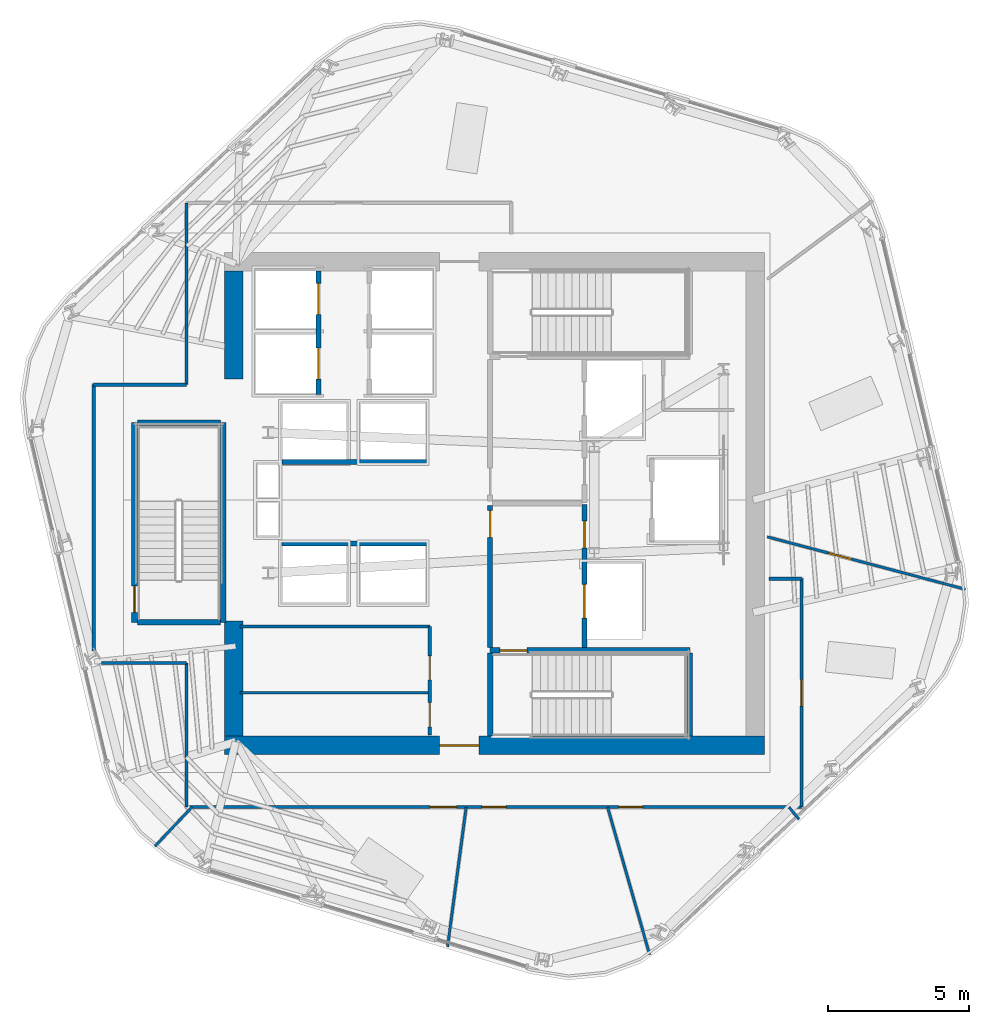
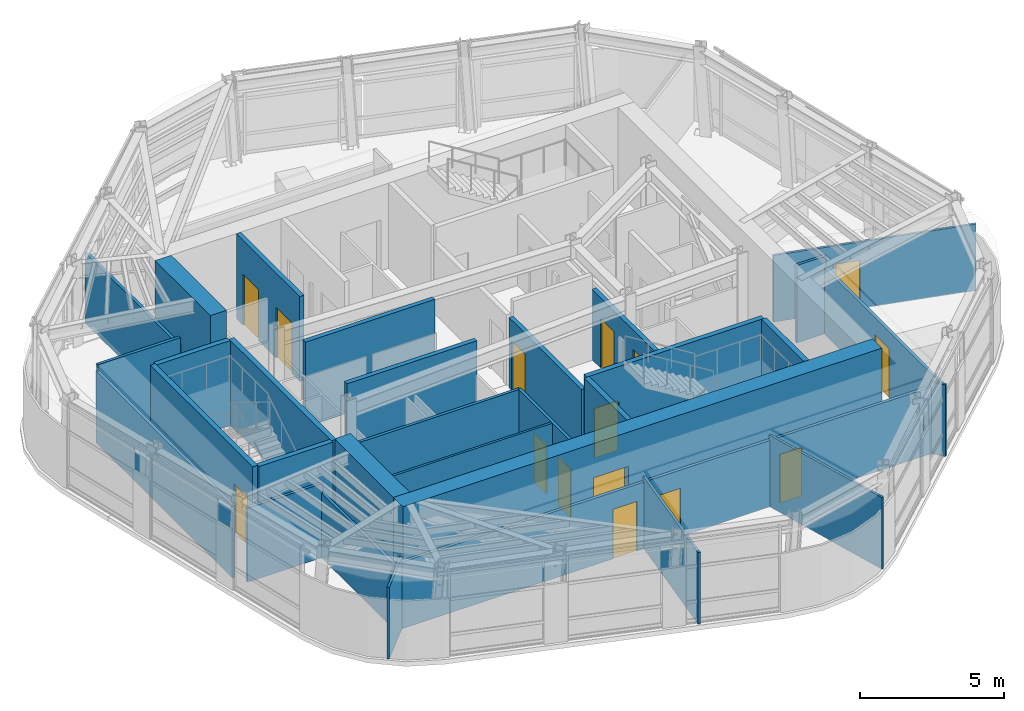
# One storey, part 8 of 14: 31 walls, 15 doors, 15 openings.
"""IFC4 building model written with IfcOpenShell, lengths in metres."""

from ifc_helpers import new_model, si_unit, direction, frame, frame_2d, origin, place, context, subcontext, project, spatial, rectangle, extrude, material, layer, layer_set, type_object, element, fill, save


model = new_model("IFC4")

# Units and contexts
model_context = context("Model", 3, precision=1e-05, world=origin(), true_north=direction((0.0, 1.0)))
body_context = subcontext(model_context, "Body", "Model", "MODEL_VIEW")
ifc_project = project(units=[si_unit("LENGTHUNIT", "METRE"), si_unit("AREAUNIT", "SQUARE_METRE"), si_unit("VOLUMEUNIT", "CUBIC_METRE"), si_unit("PLANEANGLEUNIT", "RADIAN"), si_unit("MASSUNIT", "GRAM", prefix="KILO")], contexts=[model_context])

# Site, building, storey
site_placement = place(None, origin())
site = spatial("IfcSite", under=ifc_project, at=site_placement, CompositionType="ELEMENT")
building_placement = place(site_placement, origin())
building = spatial("IfcBuilding", under=site, at=building_placement, Name="Valkerne Bourse Tower", CompositionType="ELEMENT")
storey_placement = place(building_placement, frame((0.0, 0.0, 209.39990234375)))
storey = spatial("IfcBuildingStorey", under=building, at=storey_placement, Name="L53", CompositionType="ELEMENT", Elevation=209.39990234375)

# Wall, opening, door
ifc_material_1 = material(Name="Concrete C55/67", Category="concrete")
ifc_layer_1 = layer(ifc_material_1, 0.64990234375)
ifc_layer_set_1 = layer_set([ifc_layer_1], Name="Concrete C55/67")
wall_type_1 = type_object("IfcWallType", Name="W-CORE-650", PredefinedType="SHEAR", material=ifc_layer_set_1)
wall_1_placement = place(storey_placement, frame((37.199951171875, 18.27490234375, 0.0), z_axis=(0.0, 0.0, 1.0), x_axis=(1.0, 0.0, 0.0)))
wall_1 = element("IfcWall", 1, at=wall_1_placement, inside=storey, type_object=wall_type_1, Name="L53 Core Shear Wall SOUTH", PredefinedType="SHEAR", context=body_context, shape_type="SweptSolid", body=[
    extrude(rectangle(XDim=19.199951171875, YDim=0.64990234375, at=frame_2d((9.60009765625, 0.0))), origin(), (0.0, 0.0, 1.0), 3.60009765625),
])
opening_1_placement = place(wall_1_placement, frame((7.64990234375, 0.0, 0.0)))
opening_1 = element("IfcOpeningElement", 2, at=opening_1_placement, cuts=wall_1, Name="Opening D-PL-1400", PredefinedType="OPENING", context=body_context, shape_type="SweptSolid", body=[
    extrude(rectangle(XDim=1.39990234375, YDim=2.14990234375, at=frame_2d((0.699951171875, 1.074951171875))), frame((0.0, 0.3349609375, 0.0), z_axis=(0.0, -1.0, 0.0), x_axis=(1.0, 0.0, 0.0)), (0.0, 0.0, 1.0), 0.669921875),
])
ifc_material_2 = material(Name="Galvanised Painted Steel", Category="steel")
door_type_1 = type_object("IfcDoorType", Name="DR-PLT-1400", OperationType="DOUBLE_DOOR_SINGLE_SWING", PredefinedType="DOOR", material=ifc_material_2)
door_1_placement = place(opening_1_placement, origin())
door_1 = element("IfcDoor", 3, at=door_1_placement, inside=storey, type_object=door_type_1, Name="L53 South Passenger Lift Hall Fire Door", OperationType="DOUBLE_DOOR_SINGLE_SWING", OverallHeight=2.14990234375, OverallWidth=1.39990234375, PredefinedType="DOOR", context=body_context, shape_type="SweptSolid", body=[
    extrude(rectangle(XDim=1.39990234375, YDim=2.14990234375, at=frame_2d((0.699951171875, 1.074951171875))), frame((0.0, 0.02490234375, 0.0), z_axis=(0.0, -1.0, 0.0), x_axis=(1.0, 0.0, 0.0)), (0.0, 0.0, 1.0), 0.050048828125),
])
fill(opening_1, door_1)

# Walls
wall_2_placement = place(storey_placement, frame((37.52490234375, 18.60009765625, 0.0), z_axis=(0.0, 0.0, 1.0), x_axis=(0.0, 1.0, 0.0)))
element("IfcWall", 4, at=wall_2_placement, inside=storey, type_object=wall_type_1, Name="L53 Core Shear Wall WEST-S", PredefinedType="SHEAR", context=body_context, shape_type="SweptSolid", body=[
    extrude(rectangle(XDim=4.099853515625, YDim=0.64990234375, at=frame_2d((2.0498046875, 0.0))), origin(), (0.0, 0.0, 1.0), 3.60009765625),
])
wall_3_placement = place(storey_placement, frame((37.52490234375, 31.300048828125, 0.0), z_axis=(0.0, 0.0, 1.0), x_axis=(0.0, 1.0, 0.0)))
element("IfcWall", 5, at=wall_3_placement, inside=storey, type_object=wall_type_1, Name="L53 Core Shear Wall WEST-N", PredefinedType="SHEAR", context=body_context, shape_type="SweptSolid", body=[
    extrude(rectangle(XDim=3.849853515625, YDim=0.64990234375, at=frame_2d((1.9248046875, 0.0))), origin(), (0.0, 0.0, 1.0), 3.60009765625),
])

# Wall, openings, doors
ifc_material_3 = material(Name="Gypsum Board Steel-Stud Partition", Category="steel")
ifc_layer_2 = layer(ifc_material_3, 0.117919921875)
ifc_layer_set_2 = layer_set([ifc_layer_2], Name="Gypsum Board Steel-Stud Partition")
wall_type_2 = type_object("IfcWallType", Name="W-CORR-140", PredefinedType="PARTITIONING", material=ifc_layer_set_2)
wall_4_placement = place(storey_placement, frame((44.5, 18.64990234375, 0.0), z_axis=(0.0, 0.0, 1.0), x_axis=(0.0, 1.0, 0.0)))
wall_4 = element("IfcWall", 6, at=wall_4_placement, inside=storey, type_object=wall_type_2, Name="L53 LV7 Low-Bank East Wall", PredefinedType="PARTITIONING", context=body_context, shape_type="SweptSolid", body=[
    extrude(rectangle(XDim=3.85009765625, YDim=0.117919921875, at=frame_2d((1.925048828125, 0.0))), origin(), (0.0, 0.0, 1.0), 3.300048828125),
])
opening_2_placement = place(wall_4_placement, frame((0.280029296875, 0.0, 0.0)))
opening_2 = element("IfcOpeningElement", 7, at=opening_2_placement, cuts=wall_4, Name="Opening D-WC-900", PredefinedType="OPENING", context=body_context, shape_type="SweptSolid", body=[
    extrude(rectangle(XDim=0.860107421875, YDim=2.050048828125, at=frame_2d((0.43017578125, 1.02490234375))), frame((0.0, 0.06884765625, 0.0), z_axis=(0.0, -1.0, 0.0), x_axis=(1.0, 0.0, 0.0)), (0.0, 0.0, 1.0), 0.137939453125),
])
opening_3_placement = place(wall_4_placement, frame((1.949951171875, 0.0, 0.0)))
opening_3 = element("IfcOpeningElement", 8, at=opening_3_placement, cuts=wall_4, Name="Opening D-WC-900", PredefinedType="OPENING", context=body_context, shape_type="SweptSolid", body=[
    extrude(rectangle(XDim=0.860107421875, YDim=2.050048828125, at=frame_2d((0.43017578125, 1.02490234375))), frame((0.0, 0.06884765625, 0.0), z_axis=(0.0, -1.0, 0.0), x_axis=(1.0, 0.0, 0.0)), (0.0, 0.0, 1.0), 0.137939453125),
])
ifc_material_4 = material(Name="Architectural White Oak Timber", Category="wood")
door_type_2 = type_object("IfcDoorType", Name="DR-WC-900", OperationType="NOTDEFINED", PredefinedType="DOOR", material=ifc_material_4)
door_2_placement = place(opening_2_placement, origin())
door_2 = element("IfcDoor", 9, at=door_2_placement, inside=storey, type_object=door_type_2, Name="L53 Tea Pantry Door", OperationType="SINGLE_SWING_RIGHT", OverallHeight=2.050048828125, OverallWidth=0.860107421875, PredefinedType="DOOR", context=body_context, shape_type="SweptSolid", body=[
    extrude(rectangle(XDim=0.860107421875, YDim=2.050048828125, at=frame_2d((0.43017578125, 1.02490234375))), frame((0.0, 0.02490234375, 0.0), z_axis=(0.0, -1.0, 0.0), x_axis=(1.0, 0.0, 0.0)), (0.0, 0.0, 1.0), 0.050048828125),
])
fill(opening_2, door_2)
door_3_placement = place(opening_3_placement, origin())
door_3 = element("IfcDoor", 10, at=door_3_placement, inside=storey, type_object=door_type_2, Name="L53 Portfolio Risk Office Door", OperationType="SINGLE_SWING_RIGHT", OverallHeight=2.050048828125, OverallWidth=0.860107421875, PredefinedType="DOOR", context=body_context, shape_type="SweptSolid", body=[
    extrude(rectangle(XDim=0.860107421875, YDim=2.050048828125, at=frame_2d((0.43017578125, 1.02490234375))), frame((0.0, 0.02490234375, 0.0), z_axis=(0.0, -1.0, 0.0), x_axis=(1.0, 0.0, 0.0)), (0.0, 0.0, 1.0), 0.050048828125),
])
fill(opening_3, door_3)

# Walls
wall_5_placement = place(storey_placement, frame((37.75, 22.5, 0.0), z_axis=(0.0, 0.0, 1.0), x_axis=(1.0, 0.0, 0.0)))
element("IfcWall", 11, at=wall_5_placement, inside=storey, type_object=wall_type_2, Name="L53 LV7 Low-Bank North Wall", PredefinedType="PARTITIONING", context=body_context, shape_type="SweptSolid", body=[
    extrude(rectangle(XDim=6.75, YDim=0.117919921875, at=frame_2d((3.375, 0.0))), origin(), (0.0, 0.0, 1.0), 3.300048828125),
])
wall_6_placement = place(storey_placement, frame((35.85009765625, 16.080078125, 0.0), z_axis=(0.0, 0.0, 1.0), x_axis=(0.0, 1.0, 0.0)))
element("IfcWall", 12, at=wall_6_placement, inside=storey, type_object=wall_type_2, Name="L53 Corridor Enclosure Wall", PredefinedType="PARTITIONING", context=body_context, shape_type="SweptSolid", body=[
    extrude(rectangle(XDim=5.119873046875, YDim=0.117919921875, at=frame_2d((2.56005859375, 0.0))), origin(), (0.0, 0.0, 1.0), 2.731689453125),
])
wall_7_placement = place(storey_placement, frame((35.85009765625, 21.199951171875, 0.0), z_axis=(0.0, 0.0, 1.0), x_axis=(-1.0, 0.0, 0.0)))
element("IfcWall", 13, at=wall_7_placement, inside=storey, type_object=wall_type_2, Name="L53 Corridor Enclosure Wall", PredefinedType="PARTITIONING", context=body_context, shape_type="SweptSolid", body=[
    extrude(rectangle(XDim=3.031005859375, YDim=0.117919921875, at=frame_2d((1.515625, 0.0))), origin(), (0.0, 0.0, 1.0), 3.1328125),
])
wall_8_placement = place(storey_placement, frame((32.550048828125, 21.630859375, 0.0), z_axis=(0.0, 0.0, 1.0), x_axis=(0.0, 1.0, 0.0)))
element("IfcWall", 14, at=wall_8_placement, inside=storey, type_object=wall_type_2, Name="L53 Corridor Enclosure Wall", PredefinedType="PARTITIONING", context=body_context, shape_type="SweptSolid", body=[
    extrude(rectangle(XDim=9.46923828125, YDim=0.117919921875, at=frame_2d((4.734619140625, 0.0))), origin(), (0.0, 0.0, 1.0), 3.036376953125),
])
wall_9_placement = place(storey_placement, frame((32.550048828125, 31.10009765625, 0.0), z_axis=(0.0, 0.0, 1.0), x_axis=(1.0, 0.0, 0.0)))
element("IfcWall", 15, at=wall_9_placement, inside=storey, type_object=wall_type_2, Name="L53 Corridor Enclosure Wall", PredefinedType="PARTITIONING", context=body_context, shape_type="SweptSolid", body=[
    extrude(rectangle(XDim=3.300048828125, YDim=0.117919921875, at=frame_2d((1.64990234375, 0.0))), origin(), (0.0, 0.0, 1.0), 3.300048828125),
])
wall_10_placement = place(storey_placement, frame((35.85009765625, 31.10009765625, 0.0), z_axis=(0.0, 0.0, 1.0), x_axis=(0.0, 1.0, 0.0)))
element("IfcWall", 16, at=wall_10_placement, inside=storey, type_object=wall_type_2, Name="L53 Corridor Enclosure Wall", PredefinedType="PARTITIONING", context=body_context, shape_type="SweptSolid", body=[
    extrude(rectangle(XDim=6.4599609375, YDim=0.117919921875, at=frame_2d((3.22998046875, 0.0))), origin(), (0.0, 0.0, 1.0), 2.98291015625),
])
wall_11_placement = place(storey_placement, frame((56.56005859375, 24.199951171875, 0.0), z_axis=(0.0, 0.0, 1.0), x_axis=(1.0, 0.0, 0.0)))
element("IfcWall", 17, at=wall_11_placement, inside=storey, type_object=wall_type_2, Name="L53 Corridor Enclosure Wall", PredefinedType="PARTITIONING", context=body_context, shape_type="SweptSolid", body=[
    extrude(rectangle(XDim=1.159912109375, YDim=0.117919921875, at=frame_2d((0.580078125, 0.0))), origin(), (0.0, 0.0, 1.0), 3.280029296875),
])

# Wall, opening, door
wall_12_placement = place(storey_placement, frame((57.719970703125, 24.199951171875, 0.0), z_axis=(0.0, 0.0, 1.0), x_axis=(0.0, -1.0, 0.0)))
wall_12 = element("IfcWall", 18, at=wall_12_placement, inside=storey, type_object=wall_type_2, Name="L53 Corridor Enclosure Wall", PredefinedType="PARTITIONING", context=body_context, shape_type="SweptSolid", body=[
    extrude(rectangle(XDim=8.119873046875, YDim=0.117919921875, at=frame_2d((4.06005859375, 0.0))), origin(), (0.0, 0.0, 1.0), 2.820556640625),
])
opening_4_placement = place(wall_12_placement, frame((3.5849609375, 0.0, 0.0)))
opening_4 = element("IfcOpeningElement", 19, at=opening_4_placement, cuts=wall_12, Name="Opening D-OF-950", PredefinedType="OPENING", context=body_context, shape_type="SweptSolid", body=[
    extrude(rectangle(XDim=0.949951171875, YDim=2.10009765625, at=frame_2d((0.47509765625, 1.050048828125))), frame((0.0, 0.06884765625, 0.0), z_axis=(0.0, -1.0, 0.0), x_axis=(1.0, 0.0, 0.0)), (0.0, 0.0, 1.0), 0.137939453125),
])
door_type_3 = type_object("IfcDoorType", Name="DR-OFF-950", OperationType="NOTDEFINED", PredefinedType="DOOR", material=ifc_material_4)
door_4_placement = place(opening_4_placement, origin())
door_4 = element("IfcDoor", 20, at=door_4_placement, inside=storey, type_object=door_type_3, Name="L53 L53 Member Collaboration Club Salon 4 Door", OperationType="SINGLE_SWING_RIGHT", OverallHeight=2.10009765625, OverallWidth=0.949951171875, PredefinedType="DOOR", context=body_context, shape_type="SweptSolid", body=[
    extrude(rectangle(XDim=0.949951171875, YDim=2.10009765625, at=frame_2d((0.47509765625, 1.050048828125))), frame((0.0, 0.02490234375, 0.0), z_axis=(0.0, -1.0, 0.0), x_axis=(1.0, 0.0, 0.0)), (0.0, 0.0, 1.0), 0.050048828125),
])
fill(opening_4, door_4)

# Wall, openings, doors
wall_13_placement = place(storey_placement, frame((57.719970703125, 16.080078125, 0.0), z_axis=(0.0, 0.0, 1.0), x_axis=(-1.0, 0.0, 0.0)))
wall_13 = element("IfcWall", 21, at=wall_13_placement, inside=storey, type_object=wall_type_2, Name="L53 Corridor Enclosure Wall", PredefinedType="PARTITIONING", context=body_context, shape_type="SweptSolid", body=[
    extrude(rectangle(XDim=21.869873046875, YDim=0.117919921875, at=frame_2d((10.93505859375, 0.0))), origin(), (0.0, 0.0, 1.0), 2.820556640625),
])
opening_5_placement = place(wall_13_placement, frame((5.64501953125, 0.0, 0.0)))
opening_5 = element("IfcOpeningElement", 22, at=opening_5_placement, cuts=wall_13, Name="Opening D-WC-900", PredefinedType="OPENING", context=body_context, shape_type="SweptSolid", body=[
    extrude(rectangle(XDim=0.860107421875, YDim=2.050048828125, at=frame_2d((0.43017578125, 1.02490234375))), frame((0.0, 0.06884765625, 0.0), z_axis=(0.0, -1.0, 0.0), x_axis=(1.0, 0.0, 0.0)), (0.0, 0.0, 1.0), 0.137939453125),
])
opening_6_placement = place(wall_13_placement, frame((10.5048828125, 0.0, 0.0)))
opening_6 = element("IfcOpeningElement", 23, at=opening_6_placement, cuts=wall_13, Name="Opening D-WC-900", PredefinedType="OPENING", context=body_context, shape_type="SweptSolid", body=[
    extrude(rectangle(XDim=0.860107421875, YDim=2.050048828125, at=frame_2d((0.43017578125, 1.02490234375))), frame((0.0, 0.06884765625, 0.0), z_axis=(0.0, -1.0, 0.0), x_axis=(1.0, 0.0, 0.0)), (0.0, 0.0, 1.0), 0.137939453125),
])
opening_7_placement = place(wall_13_placement, frame((12.260009765625, 0.0, 0.0)))
opening_7 = element("IfcOpeningElement", 24, at=opening_7_placement, cuts=wall_13, Name="Opening D-OF-950", PredefinedType="OPENING", context=body_context, shape_type="SweptSolid", body=[
    extrude(rectangle(XDim=0.949951171875, YDim=2.10009765625, at=frame_2d((0.47509765625, 1.050048828125))), frame((0.0, 0.06884765625, 0.0), z_axis=(0.0, -1.0, 0.0), x_axis=(1.0, 0.0, 0.0)), (0.0, 0.0, 1.0), 0.137939453125),
])
door_5_placement = place(opening_7_placement, origin())
door_5 = element("IfcDoor", 25, at=door_5_placement, inside=storey, type_object=door_type_3, Name="L53 L53 Member Collaboration Club Salon 3 Door", OperationType="SINGLE_SWING_RIGHT", OverallHeight=2.10009765625, OverallWidth=0.949951171875, PredefinedType="DOOR", context=body_context, shape_type="SweptSolid", body=[
    extrude(rectangle(XDim=0.949951171875, YDim=2.10009765625, at=frame_2d((0.47509765625, 1.050048828125))), frame((0.0, 0.02490234375, 0.0), z_axis=(0.0, -1.0, 0.0), x_axis=(1.0, 0.0, 0.0)), (0.0, 0.0, 1.0), 0.050048828125),
])
fill(opening_7, door_5)
door_6_placement = place(opening_5_placement, origin())
door_6 = element("IfcDoor", 26, at=door_6_placement, inside=storey, type_object=door_type_2, Name="L53 L53 Men Bathroom WC 1 Door", OperationType="SINGLE_SWING_RIGHT", OverallHeight=2.050048828125, OverallWidth=0.860107421875, PredefinedType="DOOR", context=body_context, shape_type="SweptSolid", body=[
    extrude(rectangle(XDim=0.860107421875, YDim=2.050048828125, at=frame_2d((0.43017578125, 1.02490234375))), frame((0.0, 0.02490234375, 0.0), z_axis=(0.0, -1.0, 0.0), x_axis=(1.0, 0.0, 0.0)), (0.0, 0.0, 1.0), 0.050048828125),
])
fill(opening_5, door_6)
door_7_placement = place(opening_6_placement, origin())
door_7 = element("IfcDoor", 27, at=door_7_placement, inside=storey, type_object=door_type_2, Name="L53 L53 Women Restroom & Shower WC 2 Door", OperationType="SINGLE_SWING_RIGHT", OverallHeight=2.050048828125, OverallWidth=0.860107421875, PredefinedType="DOOR", context=body_context, shape_type="SweptSolid", body=[
    extrude(rectangle(XDim=0.860107421875, YDim=2.050048828125, at=frame_2d((0.43017578125, 1.02490234375))), frame((0.0, 0.02490234375, 0.0), z_axis=(0.0, -1.0, 0.0), x_axis=(1.0, 0.0, 0.0)), (0.0, 0.0, 1.0), 0.050048828125),
])
fill(opening_6, door_7)

# Wall, opening, door
ifc_material_5 = material(Name="Gypsum Fire-Rated Shaftwall", Category="gypsum")
ifc_layer_3 = layer(ifc_material_5, 0.179931640625)
ifc_layer_set_3 = layer_set([ifc_layer_3], Name="Gypsum Fire-Rated Shaftwall")
wall_type_3 = type_object("IfcWallType", Name="W-FSAE-180", PredefinedType="PARTITIONING", material=ifc_layer_set_3)
wall_14_placement = place(storey_placement, frame((46.64990234375, 21.75, 0.0), z_axis=(0.0, 0.0, 1.0), x_axis=(0.0, 1.0, 0.0)))
wall_14 = element("IfcWall", 28, at=wall_14_placement, inside=storey, type_object=wall_type_3, Name="L53 FSAE-1 Lobby West Fire Wall", PredefinedType="PARTITIONING", context=body_context, shape_type="SweptSolid", body=[
    extrude(rectangle(XDim=5.050048828125, YDim=0.179931640625, at=frame_2d((2.52490234375, 0.0))), origin(), (0.0, 0.0, 1.0), 2.97802734375),
])
opening_8_placement = place(wall_14_placement, frame((3.919921875, 0.0, 0.0)))
opening_8 = element("IfcOpeningElement", 29, at=opening_8_placement, cuts=wall_14, Name="Opening D-FS-950", PredefinedType="OPENING", context=body_context, shape_type="SweptSolid", body=[
    extrude(rectangle(XDim=0.949951171875, YDim=2.10009765625, at=frame_2d((0.47509765625, 1.050048828125))), frame((0.0, 0.099853515625, 0.0), z_axis=(0.0, -1.0, 0.0), x_axis=(1.0, 0.0, 0.0)), (0.0, 0.0, 1.0), 0.199951171875),
])
door_type_4 = type_object("IfcDoorType", Name="DR-FSAE-950", OperationType="NOTDEFINED", PredefinedType="DOOR", material=ifc_material_2)
door_8_placement = place(opening_8_placement, origin())
door_8 = element("IfcDoor", 30, at=door_8_placement, inside=storey, type_object=door_type_4, Name="L53 FSAE-1 Hall Link Fire Door", OperationType="SINGLE_SWING_LEFT", OverallHeight=2.10009765625, OverallWidth=0.949951171875, PredefinedType="DOOR", context=body_context, shape_type="SweptSolid", body=[
    extrude(rectangle(XDim=0.949951171875, YDim=2.10009765625, at=frame_2d((0.47509765625, 1.050048828125))), frame((0.0, 0.02490234375, 0.0), z_axis=(0.0, -1.0, 0.0), x_axis=(1.0, 0.0, 0.0)), (0.0, 0.0, 1.0), 0.050048828125),
])
fill(opening_8, door_8)

# Wall, openings, doors
wall_15_placement = place(storey_placement, frame((50.0, 21.75, 0.0), z_axis=(0.0, 0.0, 1.0), x_axis=(0.0, 1.0, 0.0)))
wall_15 = element("IfcWall", 31, at=wall_15_placement, inside=storey, type_object=wall_type_3, Name="L53 FSAE-1 Lobby & Shaft Front Wall", PredefinedType="PARTITIONING", context=body_context, shape_type="SweptSolid", body=[
    extrude(rectangle(XDim=5.090087890625, YDim=0.179931640625, at=frame_2d((2.544921875, 0.0))), origin(), (0.0, 0.0, 1.0), 2.97802734375),
])
opening_9_placement = place(wall_15_placement, frame((1.050048828125, 0.0, 0.0)))
opening_9 = element("IfcOpeningElement", 32, at=opening_9_placement, cuts=wall_15, Name="Opening LD-1200", PredefinedType="OPENING", context=body_context, shape_type="SweptSolid", body=[
    extrude(rectangle(XDim=1.199951171875, YDim=2.14990234375, at=frame_2d((0.60009765625, 1.074951171875))), frame((0.0, 0.099853515625, 0.0), z_axis=(0.0, -1.0, 0.0), x_axis=(1.0, 0.0, 0.0)), (0.0, 0.0, 1.0), 0.199951171875),
])
opening_10_placement = place(wall_15_placement, frame((3.550048828125, 0.0, 0.0)))
opening_10 = element("IfcOpeningElement", 33, at=opening_10_placement, cuts=wall_15, Name="Opening D-FS-950", PredefinedType="OPENING", context=body_context, shape_type="SweptSolid", body=[
    extrude(rectangle(XDim=0.949951171875, YDim=2.10009765625, at=frame_2d((0.47509765625, 1.050048828125))), frame((0.0, 0.099853515625, 0.0), z_axis=(0.0, -1.0, 0.0), x_axis=(1.0, 0.0, 0.0)), (0.0, 0.0, 1.0), 0.199951171875),
])
door_9_placement = place(opening_10_placement, origin())
door_9 = element("IfcDoor", 34, at=door_9_placement, inside=storey, type_object=door_type_4, Name="L53 FSAE-1 Lobby Corridor Fire Door", OperationType="SINGLE_SWING_LEFT", OverallHeight=2.10009765625, OverallWidth=0.949951171875, PredefinedType="DOOR", context=body_context, shape_type="SweptSolid", body=[
    extrude(rectangle(XDim=0.949951171875, YDim=2.10009765625, at=frame_2d((0.47509765625, 1.050048828125))), frame((0.0, 0.02490234375, 0.0), z_axis=(0.0, -1.0, 0.0), x_axis=(1.0, 0.0, 0.0)), (0.0, 0.0, 1.0), 0.050048828125),
])
fill(opening_10, door_9)
ifc_material_6 = material(Name="Stainless Steel AISI 316", Category="steel")
door_type_5 = type_object("IfcDoorType", Name="DR-LIFT-1200", OperationType="DOUBLE_DOOR_SLIDING", PredefinedType="DOOR", material=ifc_material_6)
door_10_placement = place(opening_9_placement, origin())
door_10 = element("IfcDoor", 35, at=door_10_placement, inside=storey, type_object=door_type_5, Name="L53 FSAE-1 Firefighting Lift Landing Door", OperationType="DOUBLE_DOOR_SLIDING", OverallHeight=2.14990234375, OverallWidth=1.199951171875, PredefinedType="DOOR", context=body_context, shape_type="SweptSolid", body=[
    extrude(rectangle(XDim=1.199951171875, YDim=2.14990234375, at=frame_2d((0.60009765625, 1.074951171875))), frame((0.0, 0.02490234375, 0.0), z_axis=(0.0, -1.0, 0.0), x_axis=(1.0, 0.0, 0.0)), (0.0, 0.0, 1.0), 0.050048828125),
])
fill(opening_9, door_10)

ifc_material_7 = material(Name="CMU Blockwork Masonry 200mm", Category="masonry")
ifc_layer_4 = layer(ifc_material_7, 0.179931640625)
ifc_layer_set_4 = layer_set([ifc_layer_4], Name="CMU Blockwork Masonry 200mm")
wall_type_4 = type_object("IfcWallType", Name="W-LFT-180", PredefinedType="SOLIDWALL", material=ifc_layer_set_4)
wall_16_placement = place(storey_placement, frame((40.550048828125, 30.75, 0.0), z_axis=(0.0, 0.0, 1.0), x_axis=(0.0, 1.0, 0.0)))
wall_16 = element("IfcWall", 36, at=wall_16_placement, inside=storey, type_object=wall_type_4, Name="L53 Mid-Zone West Cars Front Wall", PredefinedType="SOLIDWALL", context=body_context, shape_type="SweptSolid", body=[
    extrude(rectangle(XDim=4.39990234375, YDim=0.179931640625, at=frame_2d((2.199951171875, 0.0))), origin(), (0.0, 0.0, 1.0), 3.60009765625),
])
opening_11_placement = place(wall_16_placement, frame((0.550048828125, 0.0, 0.0)))
opening_11 = element("IfcOpeningElement", 37, at=opening_11_placement, cuts=wall_16, Name="Opening LD-1100", PredefinedType="OPENING", context=body_context, shape_type="SweptSolid", body=[
    extrude(rectangle(XDim=1.10009765625, YDim=2.14990234375, at=frame_2d((0.550048828125, 1.074951171875))), frame((0.0, 0.099853515625, 0.0), z_axis=(0.0, -1.0, 0.0), x_axis=(1.0, 0.0, 0.0)), (0.0, 0.0, 1.0), 0.199951171875),
])
opening_12_placement = place(wall_16_placement, frame((2.85009765625, 0.0, 0.0)))
opening_12 = element("IfcOpeningElement", 38, at=opening_12_placement, cuts=wall_16, Name="Opening LD-1100", PredefinedType="OPENING", context=body_context, shape_type="SweptSolid", body=[
    extrude(rectangle(XDim=1.10009765625, YDim=2.14990234375, at=frame_2d((0.550048828125, 1.074951171875))), frame((0.0, 0.099853515625, 0.0), z_axis=(0.0, -1.0, 0.0), x_axis=(1.0, 0.0, 0.0)), (0.0, 0.0, 1.0), 0.199951171875),
])
door_type_6 = type_object("IfcDoorType", Name="DR-LIFT-1100", OperationType="DOUBLE_DOOR_SLIDING", PredefinedType="DOOR", material=ifc_material_6)
door_11_placement = place(opening_11_placement, origin())
door_11 = element("IfcDoor", 39, at=door_11_placement, inside=storey, type_object=door_type_6, Name="L53 Passenger Lift PL-M1 Sliding Landing Door", OperationType="DOUBLE_DOOR_SLIDING", OverallHeight=2.14990234375, OverallWidth=1.10009765625, PredefinedType="DOOR", context=body_context, shape_type="SweptSolid", body=[
    extrude(rectangle(XDim=1.10009765625, YDim=2.14990234375, at=frame_2d((0.550048828125, 1.074951171875))), frame((0.0, 0.02490234375, 0.0), z_axis=(0.0, -1.0, 0.0), x_axis=(1.0, 0.0, 0.0)), (0.0, 0.0, 1.0), 0.050048828125),
])
fill(opening_11, door_11)
door_12_placement = place(opening_12_placement, origin())
door_12 = element("IfcDoor", 40, at=door_12_placement, inside=storey, type_object=door_type_6, Name="L53 Passenger Lift PL-M2 Sliding Landing Door", OperationType="DOUBLE_DOOR_SLIDING", OverallHeight=2.14990234375, OverallWidth=1.10009765625, PredefinedType="DOOR", context=body_context, shape_type="SweptSolid", body=[
    extrude(rectangle(XDim=1.10009765625, YDim=2.14990234375, at=frame_2d((0.550048828125, 1.074951171875))), frame((0.0, 0.02490234375, 0.0), z_axis=(0.0, -1.0, 0.0), x_axis=(1.0, 0.0, 0.0)), (0.0, 0.0, 1.0), 0.050048828125),
])
fill(opening_12, door_12)

# Walls
for number, where, z_axis, x_axis, name in (
    (41, (39.25, 25.449951171875, 0.0), (0.0, 0.0, 1.0), (1.0, 0.0, 0.0), "L53 High-Zone South Cars Front Wall"),
    (42, (39.25, 28.35009765625, 0.0), (0.0, 0.0, 1.0), (1.0, 0.0, 0.0), "L53 High-Zone North Cars Front Wall"),
):
    element("IfcWall", number, at=place(storey_placement, frame(where, z_axis=z_axis, x_axis=x_axis)), inside=storey, type_object=wall_type_4, Name=name, PredefinedType="SOLIDWALL", context=body_context, shape_type="SweptSolid", body=[
        extrude(rectangle(XDim=5.199951171875, YDim=0.179931640625, at=frame_2d((2.60009765625, 0.0))), origin(), (0.0, 0.0, 1.0), 3.60009765625),
    ])
ifc_layer_5 = layer(ifc_material_3, 0.092041015625)
ifc_layer_set_5 = layer_set([ifc_layer_5], Name="Gypsum Board Steel-Stud Partition")
wall_type_5 = type_object("IfcWallType", Name="W-PART-115", PredefinedType="PARTITIONING", material=ifc_layer_set_5)
wall_17_placement = place(storey_placement, frame((37.75, 20.14990234375, 0.0), z_axis=(0.0, 0.0, 1.0), x_axis=(1.0, 0.0, 0.0)))
element("IfcWall", 43, at=wall_17_placement, inside=storey, type_object=wall_type_5, Name="L53 LV7 Low-Bank Sub-Divider", PredefinedType="PARTITIONING", context=body_context, shape_type="SweptSolid", body=[
    extrude(rectangle(XDim=6.75, YDim=0.092041015625, at=frame_2d((3.375, 0.0))), origin(), (0.0, 0.0, 1.0), 3.300048828125),
])
wall_18_placement = place(storey_placement, frame((45.79541015625, 16.074951171875, 0.0), z_axis=(0.0, 0.0, 1.0), x_axis=(-0.132240374858, -0.99121767703, 0.0)))
element("IfcWall", 44, at=wall_18_placement, inside=storey, type_object=wall_type_5, Name="L53 Suite Partition P01", PredefinedType="PARTITIONING", context=body_context, shape_type="SweptSolid", body=[
    extrude(rectangle(XDim=5.0068359375, YDim=0.092041015625, at=frame_2d((2.50341796875, 0.0))), origin(), (0.0, 0.0, 1.0), 3.036376953125),
])
wall_19_placement = place(storey_placement, frame((50.825439453125, 16.074951171875, 0.0), z_axis=(0.0, 0.0, 1.0), x_axis=(0.273952459733, -0.961743234864, 0.0)))
element("IfcWall", 45, at=wall_19_placement, inside=storey, type_object=wall_type_5, Name="L53 Suite Partition P02", PredefinedType="PARTITIONING", context=body_context, shape_type="SweptSolid", body=[
    extrude(rectangle(XDim=5.4541015625, YDim=0.092041015625, at=frame_2d((2.72705078125, 0.0))), origin(), (0.0, 0.0, 1.0), 3.036376953125),
])
wall_20_placement = place(storey_placement, frame((57.27734375, 16.074951171875, 0.0), z_axis=(0.0, 0.0, 1.0), x_axis=(0.634861047205, -0.772626333192, 0.0)))
element("IfcWall", 46, at=wall_20_placement, inside=storey, type_object=wall_type_5, Name="L53 Suite Partition P03", PredefinedType="PARTITIONING", context=body_context, shape_type="SweptSolid", body=[
    extrude(rectangle(XDim=0.556396484375, YDim=0.092041015625, at=frame_2d((0.2783203125, 0.0))), origin(), (0.0, 0.0, 1.0), 3.036376953125),
])

# Wall, opening, door
wall_21_placement = place(storey_placement, frame((56.5, 25.69091796875, 0.0), z_axis=(0.0, 0.0, 1.0), x_axis=(0.966696703808, -0.25592476013, 0.0)))
wall_21 = element("IfcWall", 47, at=wall_21_placement, inside=storey, type_object=wall_type_5, Name="L53 Suite Partition P04", PredefinedType="PARTITIONING", context=body_context, shape_type="SweptSolid", body=[
    extrude(rectangle(XDim=7.2939453125, YDim=0.092041015625, at=frame_2d((3.64697265625, 0.0))), origin(), (0.0, 0.0, 1.0), 2.820556640625),
])
opening_13_placement = place(wall_21_placement, frame((2.251953125, 0.0, 0.0)))
opening_13 = element("IfcOpeningElement", 48, at=opening_13_placement, cuts=wall_21, Name="Opening D-WC-900", PredefinedType="OPENING", context=body_context, shape_type="SweptSolid", body=[
    extrude(rectangle(XDim=0.860107421875, YDim=2.050048828125, at=frame_2d((0.43017578125, 1.02490234375))), frame((0.0, 0.055908203125, 0.0), z_axis=(0.0, -1.0, 0.0), x_axis=(1.0, 0.0, 0.0)), (0.0, 0.0, 1.0), 0.112060546875),
])
door_13_placement = place(opening_13_placement, origin())
door_13 = element("IfcDoor", 49, at=door_13_placement, inside=storey, type_object=door_type_2, Name="L53 L53 Commodities Market Showroom 5 Suite Door", OperationType="SINGLE_SWING_LEFT", OverallHeight=2.050048828125, OverallWidth=0.860107421875, PredefinedType="DOOR", context=body_context, shape_type="SweptSolid", body=[
    extrude(rectangle(XDim=0.860107421875, YDim=2.050048828125, at=frame_2d((0.43017578125, 1.02490234375))), frame((0.0, 0.02490234375, 0.0), z_axis=(0.0, -1.0, 0.0), x_axis=(1.0, 0.0, 0.0)), (0.0, 0.0, 1.0), 0.050048828125),
])
fill(opening_13, door_13)

# Wall
wall_22_placement = place(storey_placement, frame((36.039794921875, 16.074951171875, 0.0), z_axis=(0.0, 0.0, 1.0), x_axis=(-0.686709764866, -0.726931701632, 0.0)))
element("IfcWall", 50, at=wall_22_placement, inside=storey, type_object=wall_type_5, Name="L53 Suite Partition P06", PredefinedType="PARTITIONING", context=body_context, shape_type="SweptSolid", body=[
    extrude(rectangle(XDim=1.912109375, YDim=0.092041015625, at=frame_2d((0.9560546875, 0.0))), origin(), (0.0, 0.0, 1.0), 3.036376953125),
])

# Wall, opening, door
ifc_material_8 = material(Name="Concrete C40/50", Category="concrete")
ifc_layer_6 = layer(ifc_material_8, 0.199951171875)
ifc_layer_set_6 = layer_set([ifc_layer_6], Name="Concrete C40/50")
wall_type_6 = type_object("IfcWallType", Name="W-SHF-200", PredefinedType="SHEAR", material=ifc_layer_set_6)
wall_23_placement = place(storey_placement, frame((46.64990234375, 21.64990234375, 0.0), z_axis=(0.0, 0.0, 1.0), x_axis=(1.0, 0.0, 0.0)))
wall_23 = element("IfcWall", 51, at=wall_23_placement, inside=storey, type_object=wall_type_6, Name="L53 Exit Stair ST-1 Structural Shaft Wall North", PredefinedType="SHEAR", context=body_context, shape_type="SweptSolid", body=[
    extrude(rectangle(XDim=7.10009765625, YDim=0.199951171875, at=frame_2d((3.550048828125, 0.0))), origin(), (0.0, 0.0, 1.0), 3.60009765625),
])
opening_14_placement = place(wall_23_placement, frame((0.35009765625, 0.0, 0.0)))
opening_14 = element("IfcOpeningElement", 52, at=opening_14_placement, cuts=wall_23, Name="Opening D-ST-950", PredefinedType="OPENING", context=body_context, shape_type="SweptSolid", body=[
    extrude(rectangle(XDim=0.949951171875, YDim=2.10009765625, at=frame_2d((0.47509765625, 1.050048828125))), frame((0.0, 0.10986328125, 0.0), z_axis=(0.0, -1.0, 0.0), x_axis=(1.0, 0.0, 0.0)), (0.0, 0.0, 1.0), 0.219970703125),
])
door_type_7 = type_object("IfcDoorType", Name="DR-STAIR-950", OperationType="NOTDEFINED", PredefinedType="DOOR", material=ifc_material_2)
door_14_placement = place(opening_14_placement, origin())
door_14 = element("IfcDoor", 53, at=door_14_placement, inside=storey, type_object=door_type_7, Name="L53 Exit Stair ST-1 Door", OperationType="SINGLE_SWING_LEFT", OverallHeight=2.10009765625, OverallWidth=0.949951171875, PredefinedType="DOOR", context=body_context, shape_type="SweptSolid", body=[
    extrude(rectangle(XDim=0.949951171875, YDim=2.10009765625, at=frame_2d((0.47509765625, 1.050048828125))), frame((0.0, 0.02490234375, 0.0), z_axis=(0.0, -1.0, 0.0), x_axis=(1.0, 0.0, 0.0)), (0.0, 0.0, 1.0), 0.050048828125),
])
fill(opening_14, door_14)

# Walls
for number, where, z_axis, x_axis, name in (
    (54, (46.64990234375, 18.60009765625, 0.0), (0.0, 0.0, 1.0), (0.0, 1.0, 0.0), "L53 Exit Stair ST-1 Structural Shaft Wall West"),
    (55, (53.75, 18.60009765625, 0.0), (0.0, 0.0, 1.0), (0.0, 1.0, 0.0), "L53 Exit Stair ST-1 Structural Shaft Wall East"),
):
    element("IfcWall", number, at=place(storey_placement, frame(where, z_axis=z_axis, x_axis=x_axis)), inside=storey, type_object=wall_type_6, Name=name, PredefinedType="SHEAR", context=body_context, shape_type="SweptSolid", body=[
        extrude(rectangle(XDim=2.949951171875, YDim=0.199951171875, at=frame_2d((1.47509765625, 0.0))), origin(), (0.0, 0.0, 1.0), 3.60009765625),
    ])

# Wall, opening, door
wall_24_placement = place(storey_placement, frame((34.0, 22.64990234375, 0.0), z_axis=(0.0, 0.0, 1.0), x_axis=(0.0, 1.0, 0.0)))
wall_24 = element("IfcWall", 56, at=wall_24_placement, inside=storey, type_object=wall_type_6, Name="L53 Exit Stair ST-3 Structural Shaft Wall West", PredefinedType="SHEAR", context=body_context, shape_type="SweptSolid", body=[
    extrude(rectangle(XDim=7.10009765625, YDim=0.199951171875, at=frame_2d((3.550048828125, 0.0))), origin(), (0.0, 0.0, 1.0), 3.60009765625),
])
opening_15_placement = place(wall_24_placement, frame((0.35009765625, 0.0, 0.0)))
opening_15 = element("IfcOpeningElement", 57, at=opening_15_placement, cuts=wall_24, Name="Opening D-ST-950", PredefinedType="OPENING", context=body_context, shape_type="SweptSolid", body=[
    extrude(rectangle(XDim=0.949951171875, YDim=2.10009765625, at=frame_2d((0.47509765625, 1.050048828125))), frame((0.0, 0.10986328125, 0.0), z_axis=(0.0, -1.0, 0.0), x_axis=(1.0, 0.0, 0.0)), (0.0, 0.0, 1.0), 0.219970703125),
])
door_15_placement = place(opening_15_placement, origin())
door_15 = element("IfcDoor", 58, at=door_15_placement, inside=storey, type_object=door_type_7, Name="L53 Exit Stair ST-3 Door", OperationType="SINGLE_SWING_LEFT", OverallHeight=2.10009765625, OverallWidth=0.949951171875, PredefinedType="DOOR", context=body_context, shape_type="SweptSolid", body=[
    extrude(rectangle(XDim=0.949951171875, YDim=2.10009765625, at=frame_2d((0.47509765625, 1.050048828125))), frame((0.0, 0.02490234375, 0.0), z_axis=(0.0, -1.0, 0.0), x_axis=(1.0, 0.0, 0.0)), (0.0, 0.0, 1.0), 0.050048828125),
])
fill(opening_15, door_15)

# Walls
for number, where, z_axis, x_axis, name in (
    (59, (34.10009765625, 22.64990234375, 0.0), (0.0, 0.0, 1.0), (1.0, 0.0, 0.0), "L53 Exit Stair ST-3 Structural Shaft Wall South"),
    (60, (34.10009765625, 29.75, 0.0), (0.0, 0.0, 1.0), (1.0, 0.0, 0.0), "L53 Exit Stair ST-3 Structural Shaft Wall North"),
):
    element("IfcWall", number, at=place(storey_placement, frame(where, z_axis=z_axis, x_axis=x_axis)), inside=storey, type_object=wall_type_6, Name=name, PredefinedType="SHEAR", context=body_context, shape_type="SweptSolid", body=[
        extrude(rectangle(XDim=2.949951171875, YDim=0.199951171875, at=frame_2d((1.47509765625, 0.0))), origin(), (0.0, 0.0, 1.0), 3.60009765625),
    ])
wall_25_placement = place(storey_placement, frame((37.14990234375, 22.64990234375, 0.0), z_axis=(0.0, 0.0, 1.0), x_axis=(0.0, 1.0, 0.0)))
element("IfcWall", 61, at=wall_25_placement, inside=storey, type_object=wall_type_6, Name="L53 Exit Stair ST-3 Structural Shaft Wall East", PredefinedType="SHEAR", context=body_context, shape_type="SweptSolid", body=[
    extrude(rectangle(XDim=7.10009765625, YDim=0.199951171875, at=frame_2d((3.550048828125, 0.0))), origin(), (0.0, 0.0, 1.0), 3.60009765625),
])

save(model, "model.ifc")
